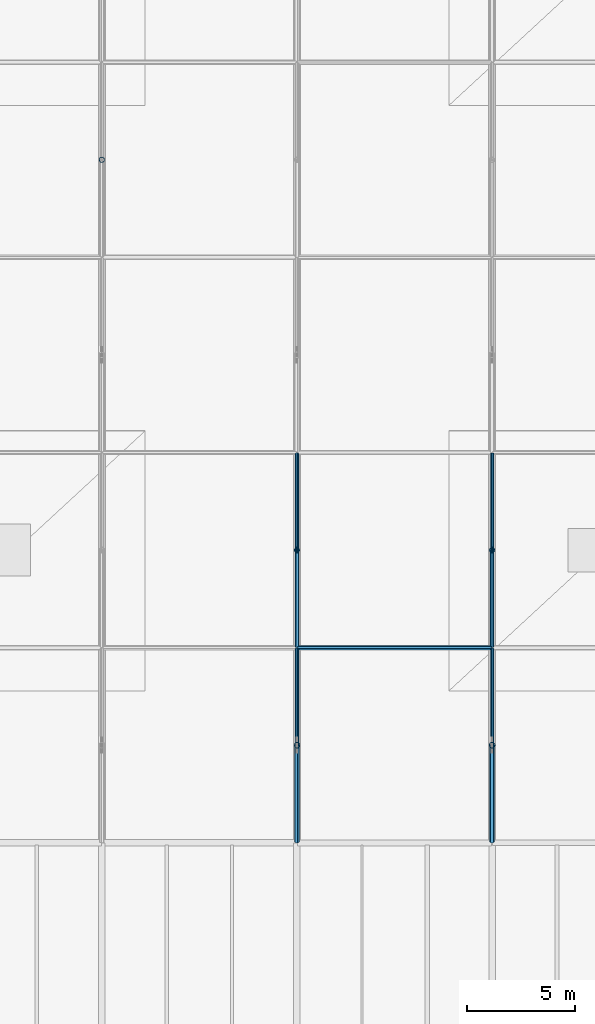
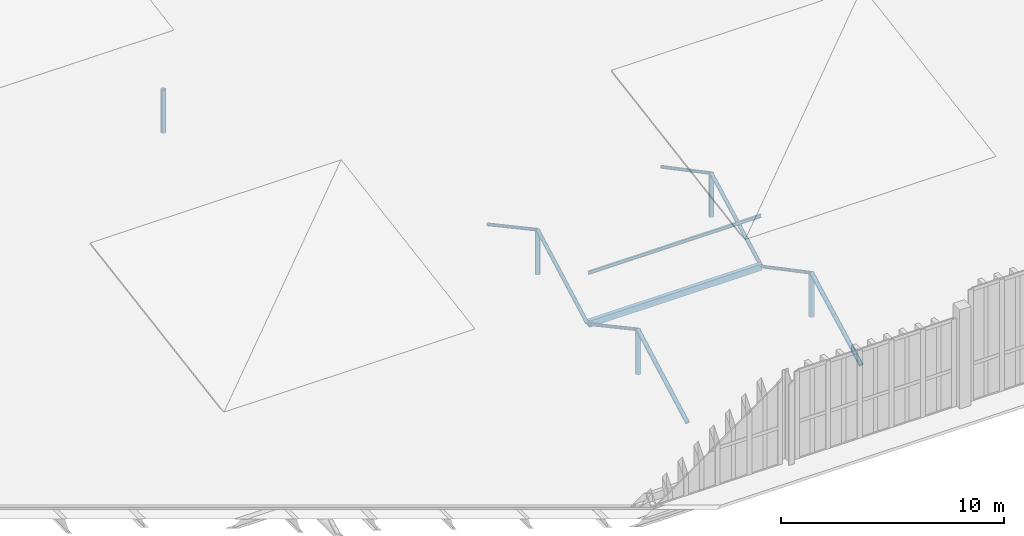
# One storey, part 54 of 196: 15 members.
"""IFC4 building model written with IfcOpenShell, lengths in metres."""

from ifc_helpers import new_model, si_unit, direction, frame, origin, origin_2d, place, context, subcontext, project, spatial, hollow_rectangle, hollow_circle, i_section, extrude, material, material_profile, profile_set, type_object, element, save


model = new_model("IFC4")

# Units and contexts
model_context = context("Model", 3, precision=1e-05, world=origin(), true_north=direction((0.0, 1.0)))
body_context = subcontext(model_context, "Body", "Model", "MODEL_VIEW")
ifc_project = project(units=[si_unit("LENGTHUNIT", "METRE"), si_unit("AREAUNIT", "SQUARE_METRE"), si_unit("VOLUMEUNIT", "CUBIC_METRE"), si_unit("PLANEANGLEUNIT", "RADIAN"), si_unit("MASSUNIT", "GRAM", prefix="KILO")], contexts=[model_context])

# Site, building, storey
site_placement = place(None, origin())
site = spatial("IfcSite", under=ifc_project, at=site_placement, CompositionType="ELEMENT")
building_placement = place(site_placement, origin())
building = spatial("IfcBuilding", under=site, at=building_placement, Name="Barlavento Convention Centre", CompositionType="ELEMENT")
storey_placement = place(building_placement, frame((0.0, 0.0, 18.0)))
storey = spatial("IfcBuildingStorey", under=building, at=storey_placement, Name="L03", CompositionType="ELEMENT", Elevation=18.0)

# Members
ifc_material = material(Name="Steel S355", Category="steel")
ifc_material_profile_1 = material_profile(ifc_material, hollow_rectangle(XDim=0.199951171875, YDim=0.35009765625, WallThickness=0.012451171875, at=origin_2d()), Name="RHS 350x200x12.5")
ifc_profile_set_1 = profile_set([ifc_material_profile_1], Name="Steel S355")
member_type_1 = type_object("IfcMemberType", Name="STR-MEM-COL-RHS350", PredefinedType="COLLAR", material=ifc_profile_set_1)
member_1_placement = place(storey_placement, frame((36.02001953125, 72.0, -3.199951171875), z_axis=(1.0, 0.0, 0.0), x_axis=(0.0, 1.0, 0.0)))
element("IfcMember", 1, at=member_1_placement, inside=storey, type_object=member_type_1, Name="Exhibition space frame transverse chord", PredefinedType="COLLAR", context=body_context, shape_type="SweptSolid", body=[
    extrude(hollow_rectangle(XDim=0.199951171875, YDim=0.35009765625, WallThickness=0.012451171875, at=origin_2d()), origin(), (0.0, 0.0, 1.0), 8.9599609375),
])
ifc_material_profile_2 = material_profile(ifc_material, hollow_circle(Radius=0.084228515625, WallThickness=0.010009765625, at=origin_2d()), Name="CHS 168.3x10.0")
ifc_profile_set_2 = profile_set([ifc_material_profile_2], Name="Steel S355")
member_type_2 = type_object("IfcMemberType", Name="STR-MEM-DIAG-CHS168", PredefinedType="POST", material=ifc_profile_set_2)
for number, where, z_axis, x_axis, name in (
    (2, (36.0, 67.5, -0.794921875), (0.0, 0.879735433057, -0.475463529437), (-1.0, 0.0, 0.0), "Exhibition space frame web diagonal"),
    (3, (36.0, 76.5, -0.794921875), (0.0, 0.879735433057, -0.475463529437), (-1.0, 0.0, 0.0), "Exhibition space frame web diagonal"),
):
    element("IfcMember", number, at=place(storey_placement, frame(where, z_axis=z_axis, x_axis=x_axis)), inside=storey, type_object=member_type_2, Name=name, PredefinedType="POST", context=body_context, shape_type="SweptSolid", body=[
        extrude(hollow_circle(Radius=0.084228515625, WallThickness=0.010009765625, at=origin_2d()), origin(), (0.0, 0.0, 1.0), 5.058349609375),
    ])
for number, where, z_axis, x_axis, name in (
    (4, (45.0, 67.5, -0.84912109375), (0.0, 0.884200566707, -0.467107437144), (-1.0, 0.0, 0.0), "Exhibition space frame web diagonal"),
    (5, (45.0, 76.5, -0.84912109375), (0.0, 0.884200566707, -0.467107437144), (-1.0, 0.0, 0.0), "Exhibition space frame web diagonal"),
):
    element("IfcMember", number, at=place(storey_placement, frame(where, z_axis=z_axis, x_axis=x_axis)), inside=storey, type_object=member_type_2, Name=name, PredefinedType="POST", context=body_context, shape_type="SweptSolid", body=[
        extrude(hollow_circle(Radius=0.084228515625, WallThickness=0.010009765625, at=origin_2d()), origin(), (0.0, 0.0, 1.0), 5.03271484375),
    ])
ifc_material_profile_3 = material_profile(ifc_material, hollow_circle(Radius=0.096923828125, WallThickness=0.010009765625, at=origin_2d()), Name="CHS 193.7x10.0")
ifc_profile_set_3 = profile_set([ifc_material_profile_3], Name="Steel S355")
member_type_3 = type_object("IfcMemberType", Name="STR-MEM-DIAG-CHS193", PredefinedType="RAFTER", material=ifc_profile_set_3)
member_2_placement = place(storey_placement, frame((36.0, 72.050048828125, -3.199951171875), z_axis=(0.0, 0.879735433057, 0.475463529437), x_axis=(-1.0, 0.0, 0.0)))
element("IfcMember", 6, at=member_2_placement, inside=storey, type_object=member_type_3, Name="Exhibition space frame web diagonal", PredefinedType="RAFTER", context=body_context, shape_type="SweptSolid", body=[
    extrude(hollow_circle(Radius=0.096923828125, WallThickness=0.010009765625, at=origin_2d()), origin(), (0.0, 0.0, 1.0), 5.058349609375),
])
member_3_placement = place(storey_placement, frame((45.0, 72.050048828125, -3.199951171875), z_axis=(0.0, 0.884200566707, 0.467107437144), x_axis=(-1.0, 0.0, 0.0)))
element("IfcMember", 7, at=member_3_placement, inside=storey, type_object=member_type_3, Name="Exhibition space frame web diagonal", PredefinedType="RAFTER", context=body_context, shape_type="SweptSolid", body=[
    extrude(hollow_circle(Radius=0.096923828125, WallThickness=0.010009765625, at=origin_2d()), origin(), (0.0, 0.0, 1.0), 5.03271484375),
])
ifc_material_profile_4 = material_profile(ifc_material, hollow_circle(Radius=0.109619140625, WallThickness=0.012451171875, at=origin_2d()), Name="CHS 219.1x12.5")
ifc_profile_set_4 = profile_set([ifc_material_profile_4], Name="Steel S355")
member_type_4 = type_object("IfcMemberType", Name="STR-MEM-DIAG-CHS219", PredefinedType="RAFTER", material=ifc_profile_set_4)
member_4_placement = place(storey_placement, frame((36.0, 63.050048828125, -3.199951171875), z_axis=(0.0, 0.879735433057, 0.475463529437), x_axis=(-1.0, 0.0, 0.0)))
element("IfcMember", 8, at=member_4_placement, inside=storey, type_object=member_type_4, Name="Exhibition space frame web diagonal", PredefinedType="RAFTER", context=body_context, shape_type="SweptSolid", body=[
    extrude(hollow_circle(Radius=0.109619140625, WallThickness=0.012451171875, at=origin_2d()), origin(), (0.0, 0.0, 1.0), 5.058349609375),
])
member_5_placement = place(storey_placement, frame((45.0, 63.050048828125, -3.199951171875), z_axis=(0.0, 0.884200566707, 0.467107437144), x_axis=(-1.0, 0.0, 0.0)))
element("IfcMember", 9, at=member_5_placement, inside=storey, type_object=member_type_4, Name="Exhibition space frame web diagonal", PredefinedType="RAFTER", context=body_context, shape_type="SweptSolid", body=[
    extrude(hollow_circle(Radius=0.109619140625, WallThickness=0.012451171875, at=origin_2d()), origin(), (0.0, 0.0, 1.0), 5.03271484375),
])
ifc_material_profile_5 = material_profile(ifc_material, i_section(OverallWidth=0.091064453125, OverallDepth=0.179931640625, WebThickness=0.00537109375, FlangeThickness=0.008056640625, FilletRadius=0.009033203125, at=origin_2d()), Name="IPE 180")
ifc_profile_set_5 = profile_set([ifc_material_profile_5], Name="Steel S355")
member_type_5 = type_object("IfcMemberType", Name="STR-MEM-PUR-IPE180", PredefinedType="PURLIN", material=ifc_profile_set_5)
member_6_placement = place(storey_placement, frame((36.02001953125, 72.0, -0.43505859375), z_axis=(1.0, 0.0, 0.0), x_axis=(0.0, 1.0, 0.0)))
element("IfcMember", 10, at=member_6_placement, inside=storey, type_object=member_type_5, Name="Exhibition roof purlin", PredefinedType="PURLIN", context=body_context, shape_type="SweptSolid", body=[
    extrude(i_section(OverallWidth=0.091064453125, OverallDepth=0.179931640625, WebThickness=0.00537109375, FlangeThickness=0.008056640625, FilletRadius=0.009033203125, at=origin_2d()), origin(), (0.0, 0.0, 1.0), 8.9599609375),
])
ifc_material_profile_6 = material_profile(ifc_material, hollow_circle(Radius=0.122314453125, WallThickness=0.012451171875, at=origin_2d()), Name="CHS 244.5x12.5")
ifc_profile_set_6 = profile_set([ifc_material_profile_6], Name="Steel S355")
member_type_6 = type_object("IfcMemberType", Name="STR-MEM-STRUT-CHS244", PredefinedType="STRUT", material=ifc_profile_set_6)
member_7_placement = place(storey_placement, frame((27.0, 94.5, -3.199951171875), z_axis=(0.0, 0.0, 1.0), x_axis=(1.0, 0.0, 0.0)))
element("IfcMember", 11, at=member_7_placement, inside=storey, type_object=member_type_6, Name="Exhibition space frame vertical strut", PredefinedType="STRUT", context=body_context, shape_type="SweptSolid", body=[
    extrude(hollow_circle(Radius=0.122314453125, WallThickness=0.012451171875, at=origin_2d()), origin(), (0.0, 0.0, 1.0), 2.35498046875),
])
member_8_placement = place(storey_placement, frame((36.0, 76.5, -3.199951171875), z_axis=(0.0, 0.0, 1.0), x_axis=(1.0, 0.0, 0.0)))
element("IfcMember", 12, at=member_8_placement, inside=storey, type_object=member_type_6, Name="Exhibition space frame vertical strut", PredefinedType="STRUT", context=body_context, shape_type="SweptSolid", body=[
    extrude(hollow_circle(Radius=0.122314453125, WallThickness=0.012451171875, at=origin_2d()), origin(), (0.0, 0.0, 1.0), 2.405029296875),
])
member_9_placement = place(storey_placement, frame((45.0, 76.5, -3.199951171875), z_axis=(0.0, 0.0, 1.0), x_axis=(1.0, 0.0, 0.0)))
element("IfcMember", 13, at=member_9_placement, inside=storey, type_object=member_type_6, Name="Exhibition space frame vertical strut", PredefinedType="STRUT", context=body_context, shape_type="SweptSolid", body=[
    extrude(hollow_circle(Radius=0.122314453125, WallThickness=0.012451171875, at=origin_2d()), origin(), (0.0, 0.0, 1.0), 2.350830078125),
])
ifc_material_profile_7 = material_profile(ifc_material, hollow_circle(Radius=0.136474609375, WallThickness=0.012451171875, at=origin_2d()), Name="CHS 273.0x12.5")
ifc_profile_set_7 = profile_set([ifc_material_profile_7], Name="Steel S355")
member_type_7 = type_object("IfcMemberType", Name="STR-MEM-STRUT-CHS273", PredefinedType="STRUT", material=ifc_profile_set_7)
member_10_placement = place(storey_placement, frame((36.0, 67.5, -3.199951171875), z_axis=(0.0, 0.0, 1.0), x_axis=(1.0, 0.0, 0.0)))
element("IfcMember", 14, at=member_10_placement, inside=storey, type_object=member_type_7, Name="Exhibition space frame vertical strut", PredefinedType="STRUT", context=body_context, shape_type="SweptSolid", body=[
    extrude(hollow_circle(Radius=0.136474609375, WallThickness=0.012451171875, at=origin_2d()), origin(), (0.0, 0.0, 1.0), 2.405029296875),
])
member_11_placement = place(storey_placement, frame((45.0, 67.5, -3.199951171875), z_axis=(0.0, 0.0, 1.0), x_axis=(1.0, 0.0, 0.0)))
element("IfcMember", 15, at=member_11_placement, inside=storey, type_object=member_type_7, Name="Exhibition space frame vertical strut", PredefinedType="STRUT", context=body_context, shape_type="SweptSolid", body=[
    extrude(hollow_circle(Radius=0.136474609375, WallThickness=0.012451171875, at=origin_2d()), origin(), (0.0, 0.0, 1.0), 2.350830078125),
])

save(model, "model.ifc")
